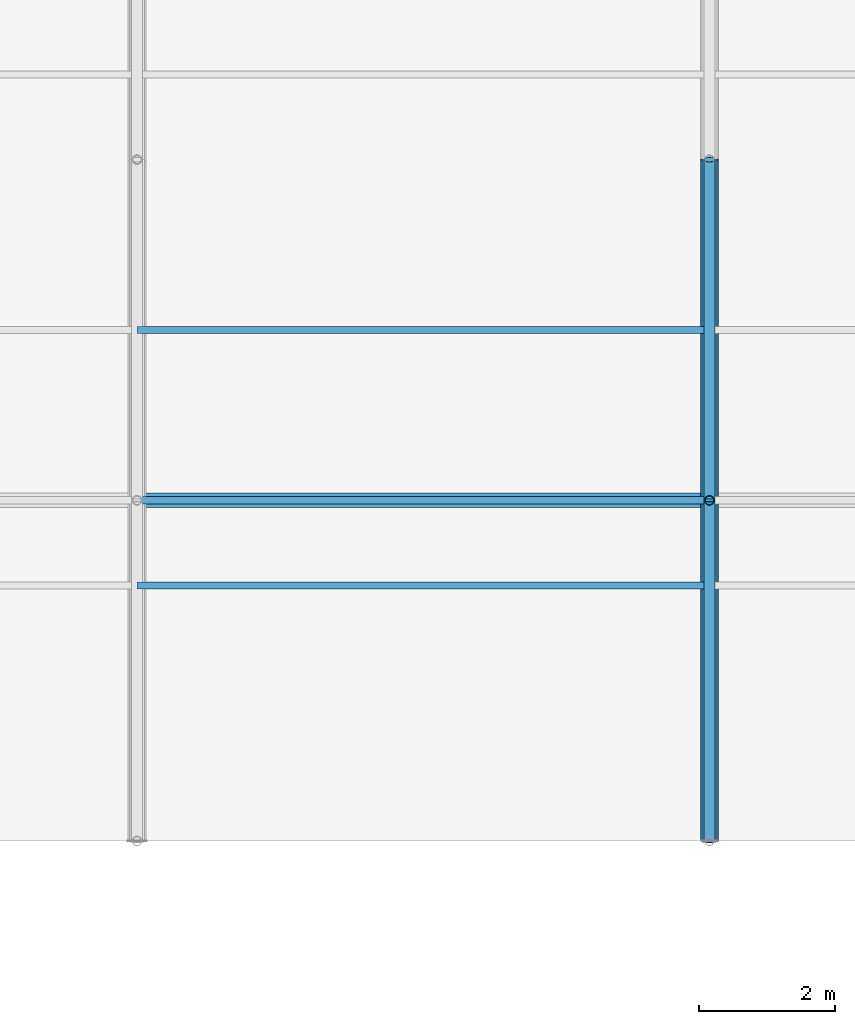
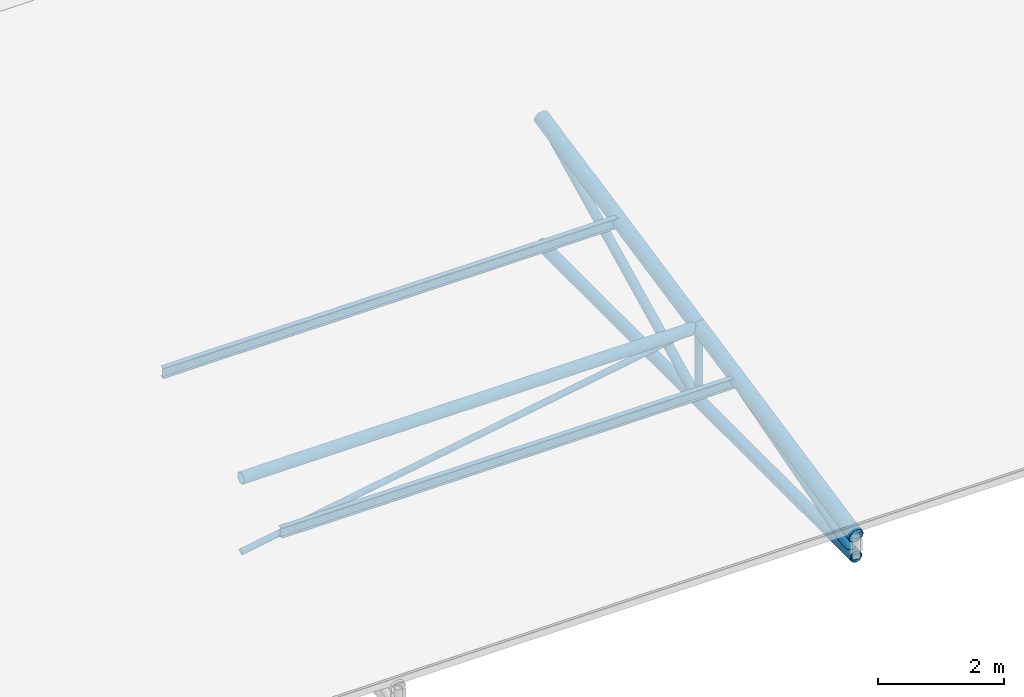
# One storey, part 5 of 194: 9 members, 2 beams.
"""IFC4 building model written with IfcOpenShell, lengths in metres."""

import ifcopenshell
import ifcopenshell.guid

model = None  # the IFC model being written
_history = None  # IfcOwnerHistory: only IFC2X3 demands one
_inside = {}  # id of a spatial element -> (the spatial element, [elements in it])
_under = {}  # id of a project, library or spatial element -> (it, [spatial elements below it])
_declared = {}  # id of a project -> (the project, [libraries it declares])
_typed = {}  # id of a type object -> (the type object, [elements of that type])
_made_of = {}  # id of a material, layer set ... -> (it, [elements and type objects made of it])


def new_model(schema):
    """Start an empty IFC model of exactly this schema.

    Asked for "IFC4X3", IfcOpenShell would pick the latest addendum, in which some entities
    have other attributes; the version numbers below select the first issue.
    IFC2X3 requires an IfcOwnerHistory on every rooted entity: one is made here for all.
    """
    global model, _history
    if schema == "IFC4X3":
        model = ifcopenshell.file(schema_version=(4, 3, 0, 0))
    else:
        model = ifcopenshell.file(schema=schema)
    _inside.clear()
    _under.clear()
    _declared.clear()
    _typed.clear()
    _made_of.clear()
    _history = None
    if model.schema == "IFC2X3":
        org = make("IfcOrganization", Name="unknown")
        user = make(
            "IfcPersonAndOrganization",
            ThePerson=make("IfcPerson", FamilyName="unknown"),
            TheOrganization=org,
        )
        app = make(
            "IfcApplication",
            ApplicationDeveloper=org,
            Version="unknown",
            ApplicationFullName="unknown",
            ApplicationIdentifier="unknown",
        )
        _history = make(
            "IfcOwnerHistory",
            OwningUser=user,
            OwningApplication=app,
            ChangeAction="ADDED",
            CreationDate=0,
        )
    return model


def make(cls, **values):
    """One entity of the class cls with the attributes given. An attribute that is None is left unset."""
    return model.create_entity(
        cls, **{name: value for name, value in values.items() if value is not None}
    )


def rooted(cls, **values):
    """An entity with a GlobalId (a new one), such as an element, a storey or a relation."""
    return make(cls, GlobalId=ifcopenshell.guid.new(), OwnerHistory=_history, **values)


def si_unit(unit_type, name, prefix=None):
    """IfcSIUnit, for example si_unit("LENGTHUNIT", "METRE", prefix="MILLI")."""
    return make("IfcSIUnit", UnitType=unit_type, Prefix=prefix, Name=name)


def assignment(units):
    """IfcUnitAssignment: the units of a project."""
    return None if units is None else make("IfcUnitAssignment", Units=units)


def point(xyz):
    """IfcCartesianPoint."""
    return None if xyz is None else make("IfcCartesianPoint", Coordinates=xyz)


def direction(xyz):
    """IfcDirection."""
    return None if xyz is None else make("IfcDirection", DirectionRatios=xyz)


def frame(location, z_axis=None, x_axis=None):
    """IfcAxis2Placement3D, a coordinate frame: its origin and axes. An axis left out is left unset."""
    return make(
        "IfcAxis2Placement3D",
        Location=point(location),
        Axis=direction(z_axis),
        RefDirection=direction(x_axis),
    )


def frame_2d(location, x_axis=None):
    """IfcAxis2Placement2D, a coordinate frame in the plane: its origin and x axis."""
    return make(
        "IfcAxis2Placement2D", Location=point(location), RefDirection=direction(x_axis)
    )


def origin():
    """The frame at (0, 0, 0) with its axes left unset."""
    return frame((0.0, 0.0, 0.0))


def origin_2d():
    """The frame at (0, 0) in the plane with its x axis left unset."""
    return frame_2d((0.0, 0.0))


def place(relative_to, where):
    """IfcLocalPlacement: puts the frame where relative to a parent placement (None: the world)."""
    return make(
        "IfcLocalPlacement", PlacementRelTo=relative_to, RelativePlacement=where
    )


def context(
    kind, dimensions, precision=None, world=None, true_north=None, identifier=None
):
    """IfcGeometricRepresentationContext, for example the 3D "Model" context."""
    return make(
        "IfcGeometricRepresentationContext",
        ContextIdentifier=identifier,
        ContextType=kind,
        CoordinateSpaceDimension=dimensions,
        Precision=precision,
        WorldCoordinateSystem=world,
        TrueNorth=true_north,
    )


def subcontext(parent, identifier, kind, view, scale=None):
    """IfcGeometricRepresentationSubContext, for example "Body" below "Model"."""
    return make(
        "IfcGeometricRepresentationSubContext",
        ContextIdentifier=identifier,
        ContextType=kind,
        ParentContext=parent,
        TargetScale=scale,
        TargetView=view,
    )


def project(units=None, contexts=None):
    """IfcProject with its units and contexts."""
    return rooted(
        "IfcProject",
        Name="project",
        RepresentationContexts=contexts,
        UnitsInContext=assignment(units),
    )


def spatial(cls, under=None, at=None, **own):
    """A site, building, storey or space (cls), placed at a placement, below another one or the project."""
    s = rooted(cls, ObjectPlacement=at, **own)
    if under is not None:
        _under.setdefault(under.id(), (under, []))[1].append(s)
    return s


def profile(cls, at=None, kind="AREA", **sizes):
    """A parametric profile (cls). Its sizes go by their IFC names, for example OverallWidth=200.0."""
    return make(cls, ProfileType=kind, Position=at, **sizes)


def hollow_circle(**sizes):
    """IfcCircleHollowProfileDef."""
    return profile("IfcCircleHollowProfileDef", **sizes)


def i_section(**sizes):
    """IfcIShapeProfileDef."""
    return profile("IfcIShapeProfileDef", **sizes)


def extrude(swept, where, along, depth):
    """IfcExtrudedAreaSolid: the profile swept, set in the frame where, extruded along a direction by depth."""
    return make(
        "IfcExtrudedAreaSolid",
        SweptArea=swept,
        Position=where,
        ExtrudedDirection=direction(along),
        Depth=depth,
    )


def shape(context_of_items, identifier, shape_type, items):
    """IfcShapeRepresentation: the items that make up one representation, for example the "Body"."""
    return make(
        "IfcShapeRepresentation",
        ContextOfItems=context_of_items,
        RepresentationIdentifier=identifier,
        RepresentationType=shape_type,
        Items=items,
    )


def material(Name=None, Category=None):
    """IfcMaterial."""
    return make("IfcMaterial", Name=Name, Category=Category)


def material_profile(
    of_material, cross_section, Name=None, Category=None, Priority=None
):
    """IfcMaterialProfile: a cross section and its material."""
    return make(
        "IfcMaterialProfile",
        Name=Name,
        Material=of_material,
        Profile=cross_section,
        Priority=Priority,
        Category=Category,
    )


def profile_set(profiles, Name=None, composite=None):
    """IfcMaterialProfileSet."""
    return make(
        "IfcMaterialProfileSet",
        Name=Name,
        MaterialProfiles=profiles,
        CompositeProfile=composite,
    )


def made_of(thing, what):
    """Note that an element or type object is made of a material, layer set ...; save() writes the relation."""
    if what is not None:
        _made_of.setdefault(what.id(), (what, []))[1].append(thing)
    return thing


def type_object(cls, material=None, **own):
    """A type object (cls), such as IfcWallType, which elements share."""
    return made_of(rooted(cls, **own), material)


def element(
    cls,
    number,
    at=None,
    inside=None,
    cuts=None,
    type_object=None,
    material=None,
    context=None,
    identifier="Body",
    shape_type=None,
    held_by="IfcProductDefinitionShape",
    body=None,
    shapes=None,
    **own,
):
    """One element of the class cls, such as IfcWall. Its Tag is "e" and its number.

    at: its placement. inside: the storey or other place that contains it. cuts: it is an
    opening in that element (IfcRelVoidsElement). A single representation is given by context,
    identifier, shape_type and body (its items); several are given by shapes. held_by: the class
    of the entity that holds the representations. save() writes the other relations.
    """
    e = rooted(cls, Tag="e%d" % number, ObjectPlacement=at, **own)
    if body is not None:
        shapes = [shape(context, identifier, shape_type, body)]
    if shapes is not None:
        e.Representation = make(held_by, Representations=shapes)
    if inside is not None:
        _inside.setdefault(inside.id(), (inside, []))[1].append(e)
    if cuts is not None:
        rooted(
            "IfcRelVoidsElement", RelatingBuildingElement=cuts, RelatedOpeningElement=e
        )
    if type_object is not None:
        _typed.setdefault(type_object.id(), (type_object, []))[1].append(e)
    return made_of(e, material)


def aggregate(whole, parts):
    """IfcRelAggregates: a whole, such as a stair, and the parts it consists of."""
    return rooted("IfcRelAggregates", RelatingObject=whole, RelatedObjects=parts)


def save(model, path):
    """Write the relations noted so far, then the file.

    IfcRelAggregates (storeys below a building ...), IfcRelContainedInSpatialStructure (elements
    in a storey), IfcRelDefinesByType, IfcRelAssociatesMaterial and IfcRelDeclares: one each for
    every whole, place, type object, material and project.
    """
    for whole, parts in _under.values():
        aggregate(whole, parts)
    for where, things in _inside.values():
        rooted(
            "IfcRelContainedInSpatialStructure",
            RelatedElements=things,
            RelatingStructure=where,
        )
    for kind, things in _typed.values():
        rooted("IfcRelDefinesByType", RelatedObjects=things, RelatingType=kind)
    for what, things in _made_of.values():
        rooted("IfcRelAssociatesMaterial", RelatedObjects=things, RelatingMaterial=what)
    for by, libraries in _declared.values():
        rooted("IfcRelDeclares", RelatingContext=by, RelatedDefinitions=libraries)
    model.write(path)


model = new_model("IFC4")

# Units and contexts
model_context = context("Model", 3, precision=1e-05, world=origin(), true_north=direction((0.0, 1.0)))
body_context = subcontext(model_context, "Body", "Model", "MODEL_VIEW")
ifc_project = project(units=[si_unit("LENGTHUNIT", "METRE"), si_unit("AREAUNIT", "SQUARE_METRE"), si_unit("VOLUMEUNIT", "CUBIC_METRE"), si_unit("PLANEANGLEUNIT", "RADIAN"), si_unit("MASSUNIT", "GRAM", prefix="KILO")], contexts=[model_context])

# Site, building, storey
site_placement = place(None, origin())
site = spatial("IfcSite", under=ifc_project, at=site_placement, CompositionType="ELEMENT")
building_placement = place(site_placement, origin())
building = spatial("IfcBuilding", under=site, at=building_placement, Name="Kazenagashi Tramway Depot", CompositionType="ELEMENT")
storey_placement = place(building_placement, frame((0.0, 0.0, 23.7)))
storey = spatial("IfcBuildingStorey", under=building, at=storey_placement, Name="ROOF", CompositionType="ELEMENT", Elevation=23.7)

# Beams
ifc_material_1 = material(Name="Steel SN400B", Category="steel")
ifc_material_profile_1 = material_profile(ifc_material_1, i_section(OverallWidth=0.1, OverallDepth=0.2, WebThickness=0.0055, FlangeThickness=0.008, at=origin_2d()), Name="H-200x100x5.5x8")
ifc_profile_set_1 = profile_set([ifc_material_profile_1], Name="Steel SN400B")
beam_type = type_object("IfcBeamType", Name="PR-01", PredefinedType="USERDEFINED", material=ifc_profile_set_1)
for number, where, z_axis, x_axis, name in (
    (1, (53.2, 73.75, -12.955), (1.0, 0.0, 0.0), (0.0, 1.0, 0.0), "Beam PR-01 BM-2019"),
    (2, (53.2, 77.5, -12.13), (1.0, 0.0, 0.0), (0.0, 1.0, 0.0), "Beam PR-01 BM-2037"),
):
    element("IfcBeam", number, at=place(storey_placement, frame(where, z_axis=z_axis, x_axis=x_axis)), inside=storey, type_object=beam_type, Name=name, ObjectType="PURLIN", PredefinedType="USERDEFINED", context=body_context, shape_type="SweptSolid", body=[
        extrude(i_section(OverallWidth=0.1, OverallDepth=0.2, WebThickness=0.0055, FlangeThickness=0.008, at=origin_2d()), origin(), (0.0, 0.0, 1.0), 8.4),
    ])

# Members
ifc_material_2 = material(Name="Steel STK490", Category="steel")
ifc_material_profile_2 = material_profile(ifc_material_2, hollow_circle(Radius=0.1337, WallThickness=0.0093, at=origin_2d()), Name="CHS-267.4x9.3")
ifc_profile_set_2 = profile_set([ifc_material_profile_2], Name="Steel STK490")
member_type_1 = type_object("IfcMemberType", Name="TC-01", PredefinedType="CHORD", material=ifc_profile_set_2)
member_1_placement = place(storey_placement, frame((61.6, 70.0, -13.7), z_axis=(0.0, 0.979317999984, 0.202327098797), x_axis=(-1.0, 0.0, 0.0)))
element("IfcMember", 3, at=member_1_placement, inside=storey, type_object=member_type_1, Name="Tubular Space Frame TC-01 MEM-0123", PredefinedType="CHORD", context=body_context, shape_type="SweptSolid", body=[
    extrude(hollow_circle(Radius=0.1337, WallThickness=0.0093, at=origin_2d()), origin(), (0.0, 0.0, 1.0), 5.105594),
])
member_2_placement = place(storey_placement, frame((61.6, 75.0, -12.667), z_axis=(0.0, 0.979279174591, 0.202514933305), x_axis=(-1.0, 0.0, 0.0)))
element("IfcMember", 4, at=member_2_placement, inside=storey, type_object=member_type_1, Name="Tubular Space Frame TC-01 MEM-0126", PredefinedType="CHORD", context=body_context, shape_type="SweptSolid", body=[
    extrude(hollow_circle(Radius=0.1337, WallThickness=0.0093, at=origin_2d()), origin(), (0.0, 0.0, 1.0), 5.105796),
])
ifc_material_profile_3 = material_profile(ifc_material_2, hollow_circle(Radius=0.10815, WallThickness=0.0082, at=origin_2d()), Name="CHS-216.3x8.2")
ifc_profile_set_3 = profile_set([ifc_material_profile_3], Name="Steel STK490")
member_type_2 = type_object("IfcMemberType", Name="TC-02", PredefinedType="CHORD", material=ifc_profile_set_3)
member_3_placement = place(storey_placement, frame((53.2, 75.0, -12.667), z_axis=(1.0, 0.0, 0.0), x_axis=(0.0, 1.0, 0.0)))
element("IfcMember", 5, at=member_3_placement, inside=storey, type_object=member_type_2, Name="Tubular Space Frame TC-02 MEM-0087", PredefinedType="CHORD", context=body_context, shape_type="SweptSolid", body=[
    extrude(hollow_circle(Radius=0.10815, WallThickness=0.0082, at=origin_2d()), origin(), (0.0, 0.0, 1.0), 8.4),
])
for number, where, z_axis, x_axis, name in (
    (6, (61.6, 70.0, -14.1), (0.0, 1.0, 0.0), (-1.0, 0.0, 0.0), "Tubular Space Frame TC-02 MEM-0124"),
    (7, (61.6, 75.0, -14.1), (0.0, 1.0, 0.0), (-1.0, 0.0, 0.0), "Tubular Space Frame TC-02 MEM-0127"),
):
    element("IfcMember", number, at=place(storey_placement, frame(where, z_axis=z_axis, x_axis=x_axis)), inside=storey, type_object=member_type_2, Name=name, PredefinedType="CHORD", context=body_context, shape_type="SweptSolid", body=[
        extrude(hollow_circle(Radius=0.10815, WallThickness=0.0082, at=origin_2d()), origin(), (0.0, 0.0, 1.0), 5.0),
    ])
ifc_material_profile_4 = material_profile(ifc_material_2, hollow_circle(Radius=0.0826, WallThickness=0.0071, at=origin_2d()), Name="CHS-165.2x7.1")
ifc_profile_set_4 = profile_set([ifc_material_profile_4], Name="Steel STK490")
member_type_3 = type_object("IfcMemberType", Name="TS-01", PredefinedType="STRUT", material=ifc_profile_set_4)
member_4_placement = place(storey_placement, frame((61.6, 70.0, -14.1), z_axis=(0.0, 0.961298717795, 0.27550821252), x_axis=(-1.0, 0.0, 0.0)))
element("IfcMember", 8, at=member_4_placement, inside=storey, type_object=member_type_3, Name="Tubular Space Frame TS-01 MEM-0125", PredefinedType="STRUT", context=body_context, shape_type="SweptSolid", body=[
    extrude(hollow_circle(Radius=0.0826, WallThickness=0.0071, at=origin_2d()), origin(), (0.0, 0.0, 1.0), 5.201297),
])
member_5_placement = place(storey_placement, frame((61.6, 75.0, -14.1), z_axis=(0.0, 0.896782162482, 0.442472318969), x_axis=(-1.0, 0.0, 0.0)))
element("IfcMember", 9, at=member_5_placement, inside=storey, type_object=member_type_3, Name="Tubular Space Frame TS-01 MEM-0128", PredefinedType="STRUT", context=body_context, shape_type="SweptSolid", body=[
    extrude(hollow_circle(Radius=0.0826, WallThickness=0.0071, at=origin_2d()), origin(), (0.0, 0.0, 1.0), 5.57549),
])
ifc_material_profile_5 = material_profile(ifc_material_2, hollow_circle(Radius=0.0699, WallThickness=0.0066, at=origin_2d()), Name="CHS-139.8x6.6")
ifc_profile_set_5 = profile_set([ifc_material_profile_5], Name="Steel STK490")
member_type_4 = type_object("IfcMemberType", Name="TS-02", PredefinedType="STRUT", material=ifc_profile_set_5)
member_6_placement = place(storey_placement, frame((61.6, 75.0, -14.1), z_axis=(0.0, 0.0, 1.0), x_axis=(1.0, 0.0, 0.0)))
element("IfcMember", 10, at=member_6_placement, inside=storey, type_object=member_type_4, Name="Tubular Space Frame TS-02 MEM-0142", PredefinedType="STRUT", context=body_context, shape_type="SweptSolid", body=[
    extrude(hollow_circle(Radius=0.0699, WallThickness=0.0066, at=origin_2d()), origin(), (0.0, 0.0, 1.0), 1.433),
])
ifc_material_3 = material(Name="Steel STK400", Category="steel")
ifc_material_profile_6 = material_profile(ifc_material_3, hollow_circle(Radius=0.05715, WallThickness=0.0045, at=origin_2d()), Name="CHS-114.3x4.5")
ifc_profile_set_6 = profile_set([ifc_material_profile_6], Name="Steel STK400")
member_type_5 = type_object("IfcMemberType", Name="TS-03", PredefinedType="STRUT", material=ifc_profile_set_6)
member_7_placement = place(storey_placement, frame((53.2, 75.0, -14.1), z_axis=(0.985758734117, 0.0, 0.168165745951), x_axis=(0.0, 1.0, 0.0)))
element("IfcMember", 11, at=member_7_placement, inside=storey, type_object=member_type_5, Name="Tubular Space Frame TS-03 MEM-0088", PredefinedType="STRUT", context=body_context, shape_type="SweptSolid", body=[
    extrude(hollow_circle(Radius=0.05715, WallThickness=0.0045, at=origin_2d()), origin(), (0.0, 0.0, 1.0), 8.521355),
])

save(model, "model.ifc")
